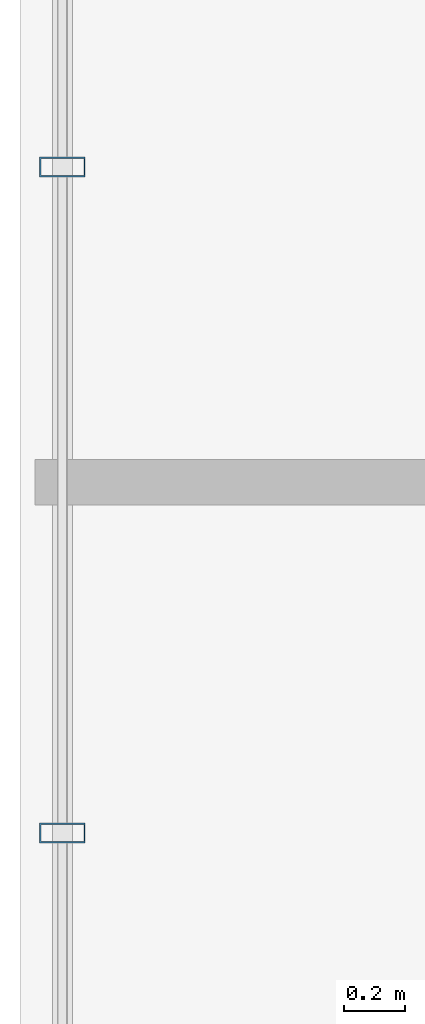
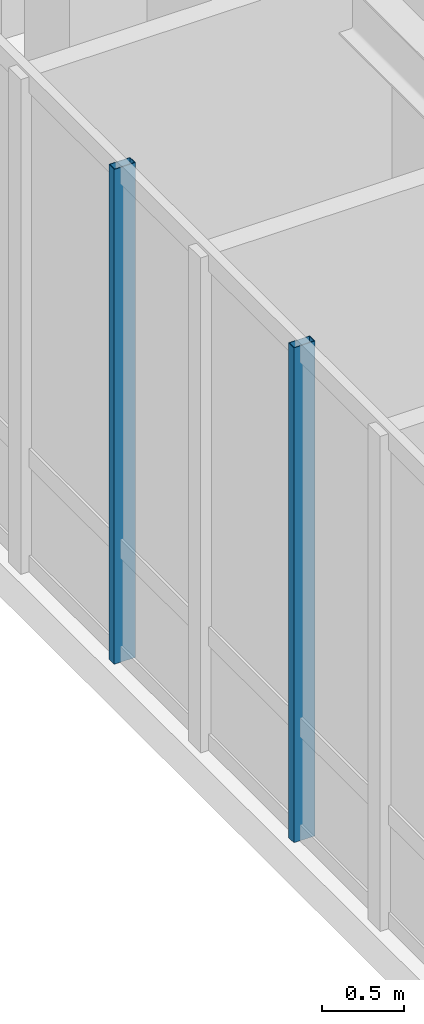
# One storey, part 10 of 24: 2 members, 1 element without a shape of its own.
"""IFC4 building model written with IfcOpenShell, lengths in metres."""

import ifcopenshell
import ifcopenshell.guid

model = None  # the IFC model being written
_history = None  # IfcOwnerHistory: only IFC2X3 demands one
_inside = {}  # id of a spatial element -> (the spatial element, [elements in it])
_under = {}  # id of a project, library or spatial element -> (it, [spatial elements below it])
_declared = {}  # id of a project -> (the project, [libraries it declares])
_typed = {}  # id of a type object -> (the type object, [elements of that type])
_made_of = {}  # id of a material, layer set ... -> (it, [elements and type objects made of it])


def new_model(schema):
    """Start an empty IFC model of exactly this schema.

    Asked for "IFC4X3", IfcOpenShell would pick the latest addendum, in which some entities
    have other attributes; the version numbers below select the first issue.
    IFC2X3 requires an IfcOwnerHistory on every rooted entity: one is made here for all.
    """
    global model, _history
    if schema == "IFC4X3":
        model = ifcopenshell.file(schema_version=(4, 3, 0, 0))
    else:
        model = ifcopenshell.file(schema=schema)
    _inside.clear()
    _under.clear()
    _declared.clear()
    _typed.clear()
    _made_of.clear()
    _history = None
    if model.schema == "IFC2X3":
        org = make("IfcOrganization", Name="unknown")
        user = make(
            "IfcPersonAndOrganization",
            ThePerson=make("IfcPerson", FamilyName="unknown"),
            TheOrganization=org,
        )
        app = make(
            "IfcApplication",
            ApplicationDeveloper=org,
            Version="unknown",
            ApplicationFullName="unknown",
            ApplicationIdentifier="unknown",
        )
        _history = make(
            "IfcOwnerHistory",
            OwningUser=user,
            OwningApplication=app,
            ChangeAction="ADDED",
            CreationDate=0,
        )
    return model


def make(cls, **values):
    """One entity of the class cls with the attributes given. An attribute that is None is left unset."""
    return model.create_entity(
        cls, **{name: value for name, value in values.items() if value is not None}
    )


def rooted(cls, **values):
    """An entity with a GlobalId (a new one), such as an element, a storey or a relation."""
    return make(cls, GlobalId=ifcopenshell.guid.new(), OwnerHistory=_history, **values)


def si_unit(unit_type, name, prefix=None):
    """IfcSIUnit, for example si_unit("LENGTHUNIT", "METRE", prefix="MILLI")."""
    return make("IfcSIUnit", UnitType=unit_type, Prefix=prefix, Name=name)


def assignment(units):
    """IfcUnitAssignment: the units of a project."""
    return None if units is None else make("IfcUnitAssignment", Units=units)


def point(xyz):
    """IfcCartesianPoint."""
    return None if xyz is None else make("IfcCartesianPoint", Coordinates=xyz)


def direction(xyz):
    """IfcDirection."""
    return None if xyz is None else make("IfcDirection", DirectionRatios=xyz)


def frame(location, z_axis=None, x_axis=None):
    """IfcAxis2Placement3D, a coordinate frame: its origin and axes. An axis left out is left unset."""
    return make(
        "IfcAxis2Placement3D",
        Location=point(location),
        Axis=direction(z_axis),
        RefDirection=direction(x_axis),
    )


def frame_2d(location, x_axis=None):
    """IfcAxis2Placement2D, a coordinate frame in the plane: its origin and x axis."""
    return make(
        "IfcAxis2Placement2D", Location=point(location), RefDirection=direction(x_axis)
    )


def origin():
    """The frame at (0, 0, 0) with its axes left unset."""
    return frame((0.0, 0.0, 0.0))


def origin_2d():
    """The frame at (0, 0) in the plane with its x axis left unset."""
    return frame_2d((0.0, 0.0))


def place(relative_to, where):
    """IfcLocalPlacement: puts the frame where relative to a parent placement (None: the world)."""
    return make(
        "IfcLocalPlacement", PlacementRelTo=relative_to, RelativePlacement=where
    )


def context(
    kind, dimensions, precision=None, world=None, true_north=None, identifier=None
):
    """IfcGeometricRepresentationContext, for example the 3D "Model" context."""
    return make(
        "IfcGeometricRepresentationContext",
        ContextIdentifier=identifier,
        ContextType=kind,
        CoordinateSpaceDimension=dimensions,
        Precision=precision,
        WorldCoordinateSystem=world,
        TrueNorth=true_north,
    )


def subcontext(parent, identifier, kind, view, scale=None):
    """IfcGeometricRepresentationSubContext, for example "Body" below "Model"."""
    return make(
        "IfcGeometricRepresentationSubContext",
        ContextIdentifier=identifier,
        ContextType=kind,
        ParentContext=parent,
        TargetScale=scale,
        TargetView=view,
    )


def project(units=None, contexts=None):
    """IfcProject with its units and contexts."""
    return rooted(
        "IfcProject",
        Name="project",
        RepresentationContexts=contexts,
        UnitsInContext=assignment(units),
    )


def spatial(cls, under=None, at=None, **own):
    """A site, building, storey or space (cls), placed at a placement, below another one or the project."""
    s = rooted(cls, ObjectPlacement=at, **own)
    if under is not None:
        _under.setdefault(under.id(), (under, []))[1].append(s)
    return s


def profile(cls, at=None, kind="AREA", **sizes):
    """A parametric profile (cls). Its sizes go by their IFC names, for example OverallWidth=200.0."""
    return make(cls, ProfileType=kind, Position=at, **sizes)


def hollow_rectangle(**sizes):
    """IfcRectangleHollowProfileDef."""
    return profile("IfcRectangleHollowProfileDef", **sizes)


def extrude(swept, where, along, depth):
    """IfcExtrudedAreaSolid: the profile swept, set in the frame where, extruded along a direction by depth."""
    return make(
        "IfcExtrudedAreaSolid",
        SweptArea=swept,
        Position=where,
        ExtrudedDirection=direction(along),
        Depth=depth,
    )


def shape(context_of_items, identifier, shape_type, items):
    """IfcShapeRepresentation: the items that make up one representation, for example the "Body"."""
    return make(
        "IfcShapeRepresentation",
        ContextOfItems=context_of_items,
        RepresentationIdentifier=identifier,
        RepresentationType=shape_type,
        Items=items,
    )


def material(Name=None, Category=None):
    """IfcMaterial."""
    return make("IfcMaterial", Name=Name, Category=Category)


def layer(
    of_material, thickness, ventilated=None, Name=None, Category=None, Priority=None
):
    """IfcMaterialLayer: one layer of a wall or slab, of a material (None: an air gap)."""
    return make(
        "IfcMaterialLayer",
        Material=of_material,
        LayerThickness=thickness,
        IsVentilated=ventilated,
        Name=Name,
        Category=Category,
        Priority=Priority,
    )


def layer_set(layers, Name=None):
    """IfcMaterialLayerSet."""
    return make("IfcMaterialLayerSet", MaterialLayers=layers, LayerSetName=Name)


def material_profile(
    of_material, cross_section, Name=None, Category=None, Priority=None
):
    """IfcMaterialProfile: a cross section and its material."""
    return make(
        "IfcMaterialProfile",
        Name=Name,
        Material=of_material,
        Profile=cross_section,
        Priority=Priority,
        Category=Category,
    )


def profile_set(profiles, Name=None, composite=None):
    """IfcMaterialProfileSet."""
    return make(
        "IfcMaterialProfileSet",
        Name=Name,
        MaterialProfiles=profiles,
        CompositeProfile=composite,
    )


def made_of(thing, what):
    """Note that an element or type object is made of a material, layer set ...; save() writes the relation."""
    if what is not None:
        _made_of.setdefault(what.id(), (what, []))[1].append(thing)
    return thing


def type_object(cls, material=None, **own):
    """A type object (cls), such as IfcWallType, which elements share."""
    return made_of(rooted(cls, **own), material)


def element(
    cls,
    number,
    at=None,
    inside=None,
    cuts=None,
    type_object=None,
    material=None,
    context=None,
    identifier="Body",
    shape_type=None,
    held_by="IfcProductDefinitionShape",
    body=None,
    shapes=None,
    **own,
):
    """One element of the class cls, such as IfcWall. Its Tag is "e" and its number.

    at: its placement. inside: the storey or other place that contains it. cuts: it is an
    opening in that element (IfcRelVoidsElement). A single representation is given by context,
    identifier, shape_type and body (its items); several are given by shapes. held_by: the class
    of the entity that holds the representations. save() writes the other relations.
    """
    e = rooted(cls, Tag="e%d" % number, ObjectPlacement=at, **own)
    if body is not None:
        shapes = [shape(context, identifier, shape_type, body)]
    if shapes is not None:
        e.Representation = make(held_by, Representations=shapes)
    if inside is not None:
        _inside.setdefault(inside.id(), (inside, []))[1].append(e)
    if cuts is not None:
        rooted(
            "IfcRelVoidsElement", RelatingBuildingElement=cuts, RelatedOpeningElement=e
        )
    if type_object is not None:
        _typed.setdefault(type_object.id(), (type_object, []))[1].append(e)
    return made_of(e, material)


def aggregate(whole, parts):
    """IfcRelAggregates: a whole, such as a stair, and the parts it consists of."""
    return rooted("IfcRelAggregates", RelatingObject=whole, RelatedObjects=parts)


def save(model, path):
    """Write the relations noted so far, then the file.

    IfcRelAggregates (storeys below a building ...), IfcRelContainedInSpatialStructure (elements
    in a storey), IfcRelDefinesByType, IfcRelAssociatesMaterial and IfcRelDeclares: one each for
    every whole, place, type object, material and project.
    """
    for whole, parts in _under.values():
        aggregate(whole, parts)
    for where, things in _inside.values():
        rooted(
            "IfcRelContainedInSpatialStructure",
            RelatedElements=things,
            RelatingStructure=where,
        )
    for kind, things in _typed.values():
        rooted("IfcRelDefinesByType", RelatedObjects=things, RelatingType=kind)
    for what, things in _made_of.values():
        rooted("IfcRelAssociatesMaterial", RelatedObjects=things, RelatingMaterial=what)
    for by, libraries in _declared.values():
        rooted("IfcRelDeclares", RelatingContext=by, RelatedDefinitions=libraries)
    model.write(path)


model = new_model("IFC4")

# Units and contexts
model_context = context("Model", 3, precision=1e-05, world=origin(), true_north=direction((0.0, 1.0)))
body_context = subcontext(model_context, "Body", "Model", "MODEL_VIEW")
ifc_project = project(units=[si_unit("LENGTHUNIT", "METRE"), si_unit("AREAUNIT", "SQUARE_METRE"), si_unit("VOLUMEUNIT", "CUBIC_METRE"), si_unit("PLANEANGLEUNIT", "RADIAN"), si_unit("MASSUNIT", "GRAM", prefix="KILO")], contexts=[model_context])

# Site, building, storey
site_placement = place(None, origin())
site = spatial("IfcSite", under=ifc_project, at=site_placement, CompositionType="ELEMENT")
building_placement = place(site_placement, origin())
building = spatial("IfcBuilding", under=site, at=building_placement, Name="Hatsunagi Terrace Concourse", CompositionType="ELEMENT")
storey_placement = place(building_placement, frame((0.0, 0.0, 285.949951171875)))
storey = spatial("IfcBuildingStorey", under=building, at=storey_placement, Name="L75", CompositionType="ELEMENT", Elevation=285.949951171875)

# Curtain wall, members
ifc_material_1 = material(Name="Anodised Aluminium Alloy 6063-T5", Category="aluminium")
ifc_layer = layer(ifc_material_1, 0.199951171875)
ifc_layer_set = layer_set([ifc_layer], Name="CrownWintergarden_CW06")
curtain_wall_type = type_object("IfcCurtainWallType", Name="CrownWintergarden_CW06", PredefinedType="NOTDEFINED", material=ifc_layer_set)
curtain_wall_placement = place(storey_placement, origin())
curtain_wall = element("IfcCurtainWall", 1, at=curtain_wall_placement, inside=storey, type_object=curtain_wall_type, Name="Unitised Curtain Wall CW-06 CW-L75-07", PredefinedType="NOTDEFINED")
ifc_material_2 = material(Name="Anodised Aluminium Alloy 6063-T5", Category="aluminium")
ifc_material_profile = material_profile(ifc_material_2, hollow_rectangle(XDim=0.06494140625, YDim=0.14990234375, WallThickness=0.00390625, at=origin_2d()), Name="ALU-MUL-150x65x4")
ifc_profile_set = profile_set([ifc_material_profile], Name="Anodised Aluminium Alloy 6063-T5")
member_type = type_object("IfcMemberType", Name="CurtainWallMullion_Crown_150x65", PredefinedType="MULLION", material=ifc_profile_set)
member_1_placement = place(storey_placement, frame((20.5400390625, 36.740966796875, 0.0), z_axis=(0.0, 0.0, 1.0), x_axis=(0.0, 1.0, 0.0)))
member_1 = element("IfcMember", 2, at=member_1_placement, type_object=member_type, Name="Curtain Wall Mullion MUL-03", PredefinedType="MULLION", context=body_context, shape_type="SweptSolid", body=[
    extrude(hollow_rectangle(XDim=0.06494140625, YDim=0.14990234375, WallThickness=0.00390625, at=origin_2d()), origin(), (0.0, 0.0, 1.0), 3.699951171875),
])
member_2_placement = place(storey_placement, frame((20.5400390625, 38.94091796875, 0.0), z_axis=(0.0, 0.0, 1.0), x_axis=(0.0, 1.0, 0.0)))
member_2 = element("IfcMember", 3, at=member_2_placement, type_object=member_type, Name="Curtain Wall Mullion MUL-03", PredefinedType="MULLION", context=body_context, shape_type="SweptSolid", body=[
    extrude(hollow_rectangle(XDim=0.06494140625, YDim=0.14990234375, WallThickness=0.00390625, at=origin_2d()), origin(), (0.0, 0.0, 1.0), 3.699951171875),
])
aggregate(curtain_wall, [member_1, member_2])

save(model, "model.ifc")
